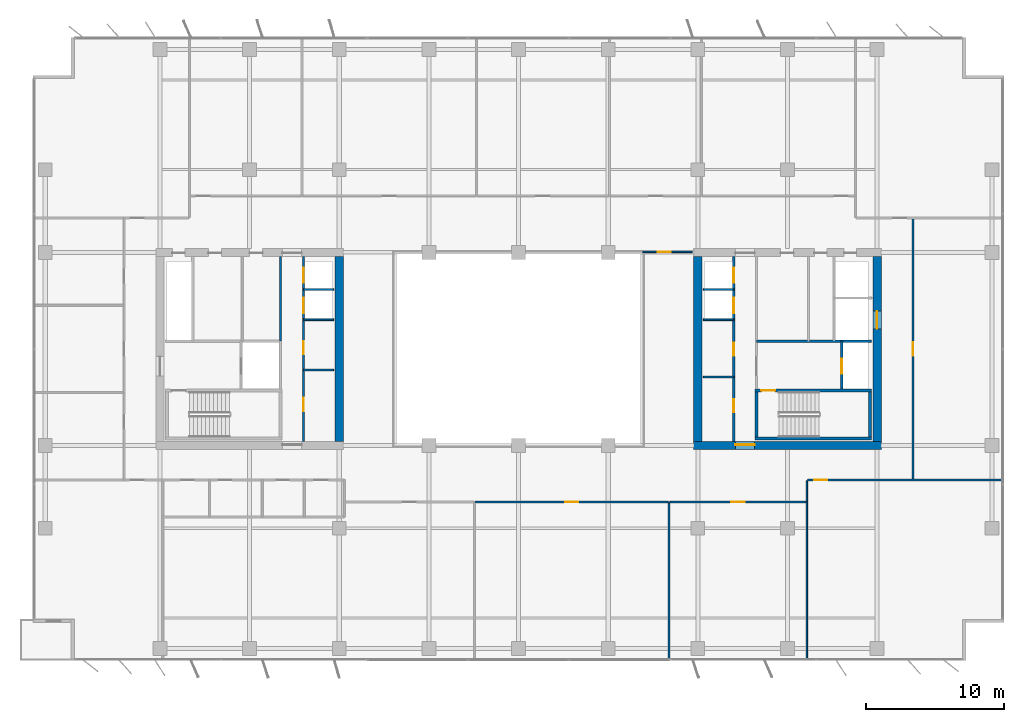
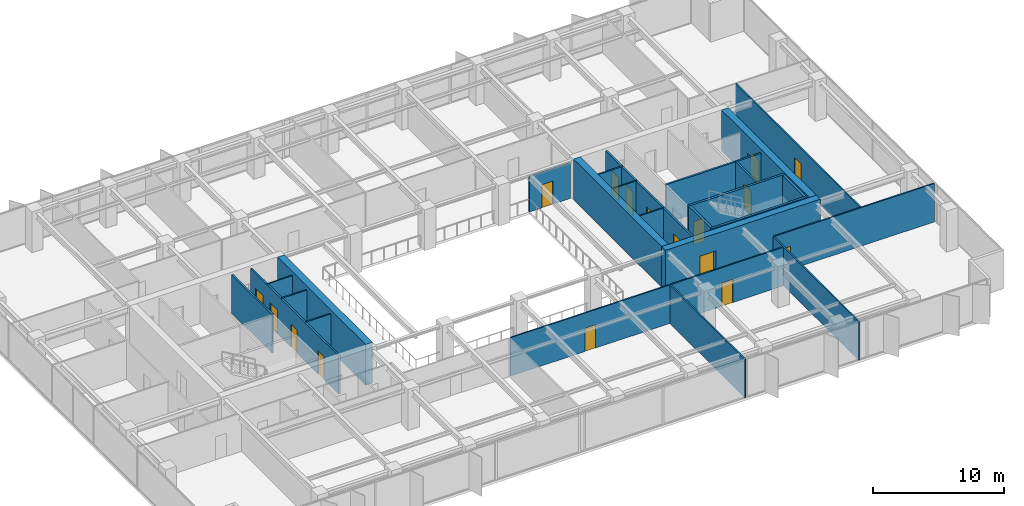
# One storey, part 16 of 22: 26 walls, 17 doors, 17 openings.
"""IFC4 building model written with IfcOpenShell, lengths in metres."""

from ifc_helpers import new_model, si_unit, direction, frame, frame_2d, origin, place, context, subcontext, project, spatial, rectangle, extrude, material, layer, layer_set, type_object, element, fill, save


model = new_model("IFC4")

# Units and contexts
model_context = context("Model", 3, precision=1e-05, world=origin(), true_north=direction((0.0, 1.0)))
body_context = subcontext(model_context, "Body", "Model", "MODEL_VIEW")
ifc_project = project(units=[si_unit("LENGTHUNIT", "METRE"), si_unit("AREAUNIT", "SQUARE_METRE"), si_unit("VOLUMEUNIT", "CUBIC_METRE"), si_unit("PLANEANGLEUNIT", "RADIAN"), si_unit("MASSUNIT", "GRAM", prefix="KILO")], contexts=[model_context])

# Site, building, storey
site_placement = place(None, origin())
site = spatial("IfcSite", under=ifc_project, at=site_placement, CompositionType="ELEMENT")
building_placement = place(site_placement, origin())
building = spatial("IfcBuilding", under=site, at=building_placement, Name="Putna Gate Headquarters", CompositionType="ELEMENT")
storey_placement = place(building_placement, frame((0.0, 0.0, 159.39990234375)))
storey = spatial("IfcBuildingStorey", under=building, at=storey_placement, Name="L39", CompositionType="ELEMENT", Elevation=159.39990234375)

# Wall
ifc_material_1 = material(Name="Concrete C50/60", Category="concrete")
ifc_layer_1 = layer(ifc_material_1, 0.60009765625)
ifc_layer_set_1 = layer_set([ifc_layer_1], Name="Concrete C50/60")
wall_type_1 = type_object("IfcWallType", Name="WALL-CORE-600", PredefinedType="SHEAR", material=ifc_layer_set_1)
wall_1_placement = place(storey_placement, frame((26.0, 19.300048828125, 0.0), z_axis=(0.0, 0.0, 1.0), x_axis=(0.0, 1.0, 0.0)))
element("IfcWall", 1, at=wall_1_placement, inside=storey, type_object=wall_type_1, Name="L39 WC Split Core Shear Wall E", PredefinedType="SHEAR", context=body_context, shape_type="SweptSolid", body=[
    extrude(rectangle(XDim=13.39990234375, YDim=0.60009765625, at=frame_2d((6.699951171875, 0.0))), origin(), (0.0, 0.0, 1.0), 3.800048828125),
])

# Wall, opening, door
wall_2_placement = place(storey_placement, frame((51.699951171875, 19.0, 0.0), z_axis=(0.0, 0.0, 1.0), x_axis=(1.0, 0.0, 0.0)))
wall_2 = element("IfcWall", 2, at=wall_2_placement, inside=storey, type_object=wall_type_1, Name="L39 EC Split Core Shear Wall S", PredefinedType="SHEAR", context=body_context, shape_type="SweptSolid", body=[
    extrude(rectangle(XDim=13.60009765625, YDim=0.60009765625, at=frame_2d((6.800048828125, 0.0))), origin(), (0.0, 0.0, 1.0), 3.800048828125),
])
opening_1_placement = place(wall_2_placement, frame((3.02001953125, 0.0, 0.0)))
opening_1 = element("IfcOpeningElement", 3, at=opening_1_placement, cuts=wall_2, Name="Opening FDD-140", PredefinedType="OPENING", context=body_context, shape_type="SweptSolid", body=[
    extrude(rectangle(XDim=1.39990234375, YDim=2.199951171875, at=frame_2d((0.699951171875, 1.10009765625))), frame((0.0, 0.31005859375, 0.0), z_axis=(0.0, -1.0, 0.0), x_axis=(1.0, 0.0, 0.0)), (0.0, 0.0, 1.0), 0.6201171875),
])
ifc_material_2 = material(Name="Double steel fire door", Category="steel")
door_type_1 = type_object("IfcDoorType", Name="DOOR-FIRE-DBL-1400", OperationType="DOUBLE_DOOR_SINGLE_SWING", PredefinedType="DOOR", material=ifc_material_2)
door_1_placement = place(opening_1_placement, origin())
door_1 = element("IfcDoor", 4, at=door_1_placement, inside=storey, type_object=door_type_1, Name="L39 East Lift Lobby South Door", OperationType="DOUBLE_DOOR_SINGLE_SWING", OverallHeight=2.199951171875, OverallWidth=1.39990234375, PredefinedType="DOOR", context=body_context, shape_type="SweptSolid", body=[
    extrude(rectangle(XDim=1.39990234375, YDim=2.199951171875, at=frame_2d((0.699951171875, 1.10009765625))), frame((0.0, 0.0751953125, 0.0), z_axis=(0.0, -1.0, 0.0), x_axis=(1.0, 0.0, 0.0)), (0.0, 0.0, 1.0), 0.050048828125),
])
fill(opening_1, door_1)

# Wall
wall_3_placement = place(storey_placement, frame((52.0, 19.300048828125, 0.0), z_axis=(0.0, 0.0, 1.0), x_axis=(0.0, 1.0, 0.0)))
element("IfcWall", 5, at=wall_3_placement, inside=storey, type_object=wall_type_1, Name="L39 EC Split Core Shear Wall W", PredefinedType="SHEAR", context=body_context, shape_type="SweptSolid", body=[
    extrude(rectangle(XDim=13.39990234375, YDim=0.60009765625, at=frame_2d((6.699951171875, 0.0))), origin(), (0.0, 0.0, 1.0), 3.800048828125),
])

# Wall, opening, door
wall_4_placement = place(storey_placement, frame((65.0, 19.300048828125, 0.0), z_axis=(0.0, 0.0, 1.0), x_axis=(0.0, 1.0, 0.0)))
wall_4 = element("IfcWall", 6, at=wall_4_placement, inside=storey, type_object=wall_type_1, Name="L39 EC Split Core Shear Wall E", PredefinedType="SHEAR", context=body_context, shape_type="SweptSolid", body=[
    extrude(rectangle(XDim=13.39990234375, YDim=0.60009765625, at=frame_2d((6.699951171875, 0.0))), origin(), (0.0, 0.0, 1.0), 3.800048828125),
])
opening_2_placement = place(wall_4_placement, frame((8.14990234375, 0.0, 0.0)))
opening_2 = element("IfcOpeningElement", 7, at=opening_2_placement, cuts=wall_4, Name="Opening LD-2", PredefinedType="OPENING", context=body_context, shape_type="SweptSolid", body=[
    extrude(rectangle(XDim=1.300048828125, YDim=2.199951171875, at=frame_2d((0.64990234375, 1.10009765625))), frame((0.0, 0.31005859375, 0.0), z_axis=(0.0, -1.0, 0.0), x_axis=(1.0, 0.0, 0.0)), (0.0, 0.0, 1.0), 0.6201171875),
])
ifc_material_3 = material(Name="Heavy-duty goods lift sliding landing door")
door_type_2 = type_object("IfcDoorType", Name="DOOR-LIFT-1300", OperationType="DOUBLE_DOOR_SLIDING", PredefinedType="DOOR", material=ifc_material_3)
door_2_placement = place(opening_2_placement, origin())
door_2 = element("IfcDoor", 8, at=door_2_placement, inside=storey, type_object=door_type_2, Name="L39 Goods Lift Landing Door LD-15", OperationType="DOUBLE_DOOR_SLIDING", OverallHeight=2.199951171875, OverallWidth=1.300048828125, PredefinedType="DOOR", context=body_context, shape_type="SweptSolid", body=[
    extrude(rectangle(XDim=1.300048828125, YDim=2.199951171875, at=frame_2d((0.64990234375, 1.10009765625))), frame((0.0, 0.02490234375, 0.0), z_axis=(0.0, -1.0, 0.0), x_axis=(1.0, 0.0, 0.0)), (0.0, 0.0, 1.0), 0.050048828125),
])
fill(opening_2, door_2)

ifc_material_4 = material(Name="Acoustic gypsum board on metal stud")
ifc_layer_2 = layer(ifc_material_4, 0.1201171875)
ifc_layer_set_2 = layer_set([ifc_layer_2], Name="Acoustic gypsum board on metal stud")
wall_type_2 = type_object("IfcWallType", Name="WALL-PART-120", PredefinedType="PARTITIONING", material=ifc_layer_set_2)
wall_5_placement = place(storey_placement, frame((48.0, 33.0400390625, 0.0), z_axis=(0.0, 0.0, 1.0), x_axis=(1.0, 0.0, 0.0)))
wall_5 = element("IfcWall", 9, at=wall_5_placement, inside=storey, type_object=wall_type_2, Name="L39 Interior Wall PART-L39-ATR-E-N", PredefinedType="PARTITIONING", context=body_context, shape_type="SweptSolid", body=[
    extrude(rectangle(XDim=3.60009765625, YDim=0.1201171875, at=frame_2d((1.800048828125, 0.0))), origin(), (0.0, 0.0, 1.0), 3.31201171875),
])
opening_3_placement = place(wall_5_placement, frame((1.10009765625, 0.0, 0.0)))
opening_3 = element("IfcOpeningElement", 10, at=opening_3_placement, cuts=wall_5, Name="Opening ID-95", PredefinedType="OPENING", context=body_context, shape_type="SweptSolid", body=[
    extrude(rectangle(XDim=0.949951171875, YDim=2.14990234375, at=frame_2d((0.47509765625, 1.074951171875))), frame((0.0, 0.070068359375, 0.0), z_axis=(0.0, -1.0, 0.0), x_axis=(1.0, 0.0, 0.0)), (0.0, 0.0, 1.0), 0.14013671875),
])
ifc_material_5 = material(Name="Veneered acoustic timber door", Category="wood")
door_type_3 = type_object("IfcDoorType", Name="DOOR-OFF-950", OperationType="NOTDEFINED", PredefinedType="DOOR", material=ifc_material_5)
door_3_placement = place(opening_3_placement, origin())
door_3 = element("IfcDoor", 11, at=door_3_placement, inside=storey, type_object=door_type_3, Name="L39 East Sky Atrium Lounge Door", OperationType="SINGLE_SWING_LEFT", OverallHeight=2.14990234375, OverallWidth=0.949951171875, PredefinedType="DOOR", context=body_context, shape_type="SweptSolid", body=[
    extrude(rectangle(XDim=0.949951171875, YDim=2.14990234375, at=frame_2d((0.47509765625, 1.074951171875))), frame((0.0, 0.02490234375, 0.0), z_axis=(0.0, -1.0, 0.0), x_axis=(1.0, 0.0, 0.0)), (0.0, 0.0, 1.0), 0.050048828125),
])
fill(opening_3, door_3)

# Walls
wall_6_placement = place(storey_placement, frame((49.912109375, 3.419921875, 0.0), z_axis=(0.0, 0.0, 1.0), x_axis=(0.0, 1.0, 0.0)))
element("IfcWall", 12, at=wall_6_placement, inside=storey, type_object=wall_type_2, Name="L39 Interior Wall PART-L39-SB-DIV-03", PredefinedType="PARTITIONING", context=body_context, shape_type="SweptSolid", body=[
    extrude(rectangle(XDim=11.420166015625, YDim=0.1201171875, at=frame_2d((5.7099609375, 0.0))), origin(), (0.0, 0.0, 1.0), 3.572021484375),
])
wall_7_placement = place(storey_placement, frame((59.907958984375, 3.419921875, 0.0), z_axis=(0.0, 0.0, 1.0), x_axis=(0.0, 1.0, 0.0)))
element("IfcWall", 13, at=wall_7_placement, inside=storey, type_object=wall_type_2, Name="L39 Interior Wall PART-L39-SB-DIV-04", PredefinedType="PARTITIONING", context=body_context, shape_type="SweptSolid", body=[
    extrude(rectangle(XDim=13.02001953125, YDim=0.1201171875, at=frame_2d((6.510009765625, 0.0))), origin(), (0.0, 0.0, 1.0), 3.572021484375),
])
ifc_material_6 = material(Name="Fire-rated shaftwall gypsum board on metal stud")
ifc_layer_3 = layer(ifc_material_6, 0.1201171875)
ifc_layer_set_3 = layer_set([ifc_layer_3], Name="Fire-rated shaftwall gypsum board on metal stud")
wall_type_3 = type_object("IfcWallType", Name="WALL-PART-120-EI120", PredefinedType="PARTITIONING", material=ifc_layer_set_3)
for number, where, z_axis, x_axis, name in (
    (14, (23.39990234375, 30.31005859375, 0.0), (0.0, 0.0, 1.0), (1.0, 0.0, 0.0), "L39 Interior Wall CWINT-L39-WC-LF09-DIV"),
    (15, (52.39990234375, 30.31005859375, 0.0), (0.0, 0.0, 1.0), (1.0, 0.0, 0.0), "L39 Interior Wall CWINT-L39-EC-LF11-DIV"),
):
    element("IfcWall", number, at=place(storey_placement, frame(where, z_axis=z_axis, x_axis=x_axis)), inside=storey, type_object=wall_type_3, Name=name, PredefinedType="PARTITIONING", context=body_context, shape_type="SweptSolid", body=[
        extrude(rectangle(XDim=2.2001953125, YDim=0.1201171875, at=frame_2d((1.10009765625, 0.0))), origin(), (0.0, 0.0, 1.0), 3.572021484375),
    ])
ifc_material_7 = material(Name="Fire-rated gypsum board on metal stud")
ifc_layer_4 = layer(ifc_material_7, 0.1201171875)
ifc_layer_set_4 = layer_set([ifc_layer_4], Name="Fire-rated gypsum board on metal stud")
wall_type_4 = type_object("IfcWallType", Name="WALL-PART-120-RATED", PredefinedType="PARTITIONING", material=ifc_layer_set_4)
for number, where, z_axis, x_axis, name in (
    (16, (23.39990234375, 24.469970703125, 0.0), (0.0, 0.0, 1.0), (1.0, 0.0, 0.0), "L39 Interior Wall CWINT-L39-WC-REUSE-DIV"),
    (17, (23.39990234375, 28.1201171875, 0.0), (0.0, 0.0, 1.0), (1.0, 0.0, 0.0), "L39 Interior Wall CWINT-L39-WC-LF06-DIV"),
    (18, (52.39990234375, 23.969970703125, 0.0), (0.0, 0.0, 1.0), (1.0, 0.0, 0.0), "L39 Interior Wall CWINT-L39-EC-REUSE-DIV"),
    (19, (52.39990234375, 28.1201171875, 0.0), (0.0, 0.0, 1.0), (1.0, 0.0, 0.0), "L39 Interior Wall CWINT-L39-EC-LF08-DIV"),
):
    element("IfcWall", number, at=place(storey_placement, frame(where, z_axis=z_axis, x_axis=x_axis)), inside=storey, type_object=wall_type_4, Name=name, PredefinedType="PARTITIONING", context=body_context, shape_type="SweptSolid", body=[
        extrude(rectangle(XDim=2.2001953125, YDim=0.1201171875, at=frame_2d((1.10009765625, 0.0))), origin(), (0.0, 0.0, 1.0), 3.572021484375),
    ])

# Wall, opening, door
wall_8_placement = place(storey_placement, frame((35.860107421875, 14.89990234375, 0.0), z_axis=(0.0, 0.0, 1.0), x_axis=(1.0, 0.0, 0.0)))
wall_8 = element("IfcWall", 20, at=wall_8_placement, inside=storey, type_object=wall_type_4, Name="L39 Interior Wall PART-L39-SB-CW-03", PredefinedType="PARTITIONING", context=body_context, shape_type="SweptSolid", body=[
    extrude(rectangle(XDim=13.991943359375, YDim=0.1201171875, at=frame_2d((6.99609375, 0.0))), origin(), (0.0, 0.0, 1.0), 3.572021484375),
])
opening_4_placement = place(wall_8_placement, frame((6.52099609375, 0.0, 0.0)))
opening_4 = element("IfcOpeningElement", 21, at=opening_4_placement, cuts=wall_8, Name="Opening FD-95", PredefinedType="OPENING", context=body_context, shape_type="SweptSolid", body=[
    extrude(rectangle(XDim=0.949951171875, YDim=2.14990234375, at=frame_2d((0.47509765625, 1.074951171875))), frame((0.0, 0.070068359375, 0.0), z_axis=(0.0, -1.0, 0.0), x_axis=(1.0, 0.0, 0.0)), (0.0, 0.0, 1.0), 0.14013671875),
])
ifc_material_8 = material(Name="Acoustic timber fire door", Category="wood")
door_type_4 = type_object("IfcDoorType", Name="DOOR-FIRE-950", OperationType="NOTDEFINED", PredefinedType="DOOR", material=ifc_material_8)
door_4_placement = place(opening_4_placement, origin())
door_4 = element("IfcDoor", 22, at=door_4_placement, inside=storey, type_object=door_type_4, Name="L39 Quiet Wellness Focus Studio 2 Door", OperationType="SINGLE_SWING_LEFT", OverallHeight=2.14990234375, OverallWidth=0.949951171875, PredefinedType="DOOR", context=body_context, shape_type="SweptSolid", body=[
    extrude(rectangle(XDim=0.949951171875, YDim=2.14990234375, at=frame_2d((0.47509765625, 1.074951171875))), frame((0.0, 0.02490234375, 0.0), z_axis=(0.0, -1.0, 0.0), x_axis=(1.0, 0.0, 0.0)), (0.0, 0.0, 1.0), 0.050048828125),
])
fill(opening_4, door_4)

wall_9_placement = place(storey_placement, frame((49.971923828125, 14.89990234375, 0.0), z_axis=(0.0, 0.0, 1.0), x_axis=(1.0, 0.0, 0.0)))
wall_9 = element("IfcWall", 23, at=wall_9_placement, inside=storey, type_object=wall_type_4, Name="L39 Interior Wall PART-L39-SB-CW-04", PredefinedType="PARTITIONING", context=body_context, shape_type="SweptSolid", body=[
    extrude(rectangle(XDim=9.8759765625, YDim=0.1201171875, at=frame_2d((4.93798828125, 0.0))), origin(), (0.0, 0.0, 1.0), 3.572021484375),
])
opening_5_placement = place(wall_9_placement, frame((4.462890625, 0.0, 0.0)))
opening_5 = element("IfcOpeningElement", 24, at=opening_5_placement, cuts=wall_9, Name="Opening FD-95", PredefinedType="OPENING", context=body_context, shape_type="SweptSolid", body=[
    extrude(rectangle(XDim=0.949951171875, YDim=2.14990234375, at=frame_2d((0.47509765625, 1.074951171875))), frame((0.0, 0.070068359375, 0.0), z_axis=(0.0, -1.0, 0.0), x_axis=(1.0, 0.0, 0.0)), (0.0, 0.0, 1.0), 0.14013671875),
])
door_5_placement = place(opening_5_placement, origin())
door_5 = element("IfcDoor", 25, at=door_5_placement, inside=storey, type_object=door_type_4, Name="L39 Quiet Wellness Focus Studio 3 Door", OperationType="SINGLE_SWING_RIGHT", OverallHeight=2.14990234375, OverallWidth=0.949951171875, PredefinedType="DOOR", context=body_context, shape_type="SweptSolid", body=[
    extrude(rectangle(XDim=0.949951171875, YDim=2.14990234375, at=frame_2d((0.47509765625, 1.074951171875))), frame((0.0, 0.02490234375, 0.0), z_axis=(0.0, -1.0, 0.0), x_axis=(1.0, 0.0, 0.0)), (0.0, 0.0, 1.0), 0.050048828125),
])
fill(opening_5, door_5)

wall_10_placement = place(storey_placement, frame((59.968017578125, 16.5, 0.0), z_axis=(0.0, 0.0, 1.0), x_axis=(1.0, 0.0, 0.0)))
wall_10 = element("IfcWall", 26, at=wall_10_placement, inside=storey, type_object=wall_type_4, Name="L39 Interior Wall PART-L39-SB-CW-05", PredefinedType="PARTITIONING", context=body_context, shape_type="SweptSolid", body=[
    extrude(rectangle(XDim=14.052001953125, YDim=0.1201171875, at=frame_2d((7.02587890625, 0.0))), origin(), (0.0, 0.0, 1.0), 3.572021484375),
])
opening_6_placement = place(wall_10_placement, frame((0.47998046875, 0.0, 0.0)))
opening_6 = element("IfcOpeningElement", 27, at=opening_6_placement, cuts=wall_10, Name="Opening FD-95", PredefinedType="OPENING", context=body_context, shape_type="SweptSolid", body=[
    extrude(rectangle(XDim=0.949951171875, YDim=2.14990234375, at=frame_2d((0.47509765625, 1.074951171875))), frame((0.0, 0.070068359375, 0.0), z_axis=(0.0, -1.0, 0.0), x_axis=(1.0, 0.0, 0.0)), (0.0, 0.0, 1.0), 0.14013671875),
])
door_6_placement = place(opening_6_placement, origin())
door_6 = element("IfcDoor", 28, at=door_6_placement, inside=storey, type_object=door_type_4, Name="L39 Conference Meeting Room 1 Door", OperationType="SINGLE_SWING_LEFT", OverallHeight=2.14990234375, OverallWidth=0.949951171875, PredefinedType="DOOR", context=body_context, shape_type="SweptSolid", body=[
    extrude(rectangle(XDim=0.949951171875, YDim=2.14990234375, at=frame_2d((0.47509765625, 1.074951171875))), frame((0.0, 0.02490234375, 0.0), z_axis=(0.0, -1.0, 0.0), x_axis=(1.0, 0.0, 0.0)), (0.0, 0.0, 1.0), 0.050048828125),
])
fill(opening_6, door_6)

wall_11_placement = place(storey_placement, frame((67.60009765625, 16.5, 0.0), z_axis=(0.0, 0.0, 1.0), x_axis=(0.0, 1.0, 0.0)))
wall_11 = element("IfcWall", 29, at=wall_11_placement, inside=storey, type_object=wall_type_4, Name="L39 Interior Wall PART-L39-EW-CW-1", PredefinedType="PARTITIONING", context=body_context, shape_type="SweptSolid", body=[
    extrude(rectangle(XDim=19.0, YDim=0.1201171875, at=frame_2d((9.5, 0.0))), origin(), (0.0, 0.0, 1.0), 3.572021484375),
])
opening_7_placement = place(wall_11_placement, frame((9.02490234375, 0.0, 0.0)))
opening_7 = element("IfcOpeningElement", 30, at=opening_7_placement, cuts=wall_11, Name="Opening FD-95", PredefinedType="OPENING", context=body_context, shape_type="SweptSolid", body=[
    extrude(rectangle(XDim=0.949951171875, YDim=2.14990234375, at=frame_2d((0.47509765625, 1.074951171875))), frame((0.0, 0.070068359375, 0.0), z_axis=(0.0, -1.0, 0.0), x_axis=(1.0, 0.0, 0.0)), (0.0, 0.0, 1.0), 0.14013671875),
])
door_7_placement = place(opening_7_placement, origin())
door_7 = element("IfcDoor", 31, at=door_7_placement, inside=storey, type_object=door_type_4, Name="L39 East Advisory Office 1 Door", OperationType="SINGLE_SWING_LEFT", OverallHeight=2.14990234375, OverallWidth=0.949951171875, PredefinedType="DOOR", context=body_context, shape_type="SweptSolid", body=[
    extrude(rectangle(XDim=0.949951171875, YDim=2.14990234375, at=frame_2d((0.47509765625, 1.074951171875))), frame((0.0, 0.02490234375, 0.0), z_axis=(0.0, -1.0, 0.0), x_axis=(1.0, 0.0, 0.0)), (0.0, 0.0, 1.0), 0.050048828125),
])
fill(opening_7, door_7)

# Wall
ifc_material_9 = material(Name="Concrete C40/50", Category="concrete")
ifc_layer_5 = layer(ifc_material_9, 0.159912109375)
ifc_layer_set_5 = layer_set([ifc_layer_5], Name="Concrete C40/50")
wall_type_5 = type_object("IfcWallType", Name="WALL-SHAFT-160", PredefinedType="STANDARD", material=ifc_layer_set_5)
wall_12_placement = place(storey_placement, frame((21.739990234375, 26.56005859375, 0.0), z_axis=(0.0, 0.0, 1.0), x_axis=(0.0, 1.0, 0.0)))
element("IfcWall", 32, at=wall_12_placement, inside=storey, type_object=wall_type_5, Name="L39 Interior Wall CWINT-L39-WC-LOB-W", PredefinedType="STANDARD", context=body_context, shape_type="SweptSolid", body=[
    extrude(rectangle(XDim=6.139892578125, YDim=0.159912109375, at=frame_2d((3.06982421875, 0.0))), origin(), (0.0, 0.0, 1.0), 3.572021484375),
])

# Wall, openings, doors
wall_13_placement = place(storey_placement, frame((23.39990234375, 19.300048828125, 0.0), z_axis=(0.0, 0.0, 1.0), x_axis=(0.0, 1.0, 0.0)))
wall_13 = element("IfcWall", 33, at=wall_13_placement, inside=storey, type_object=wall_type_5, Name="L39 Interior Wall CWINT-L39-WC-PL-WALL", PredefinedType="STANDARD", context=body_context, shape_type="SweptSolid", body=[
    extrude(rectangle(XDim=13.39990234375, YDim=0.159912109375, at=frame_2d((6.699951171875, 0.0))), origin(), (0.0, 0.0, 1.0), 3.572021484375),
])
opening_8_placement = place(wall_13_placement, frame((2.199951171875, 0.0, 0.0)))
opening_8 = element("IfcOpeningElement", 34, at=opening_8_placement, cuts=wall_13, Name="Opening IDS-95", PredefinedType="OPENING", context=body_context, shape_type="SweptSolid", body=[
    extrude(rectangle(XDim=0.949951171875, YDim=2.14990234375, at=frame_2d((0.47509765625, 1.074951171875))), frame((0.0, 0.08984375, 0.0), z_axis=(0.0, -1.0, 0.0), x_axis=(1.0, 0.0, 0.0)), (0.0, 0.0, 1.0), 0.179931640625),
])
opening_9_placement = place(wall_13_placement, frame((6.300048828125, 0.0, 0.0)))
opening_9 = element("IfcOpeningElement", 35, at=opening_9_placement, cuts=wall_13, Name="Opening IDS-95", PredefinedType="OPENING", context=body_context, shape_type="SweptSolid", body=[
    extrude(rectangle(XDim=0.949951171875, YDim=2.14990234375, at=frame_2d((0.47509765625, 1.074951171875))), frame((0.0, 0.08984375, 0.0), z_axis=(0.0, -1.0, 0.0), x_axis=(1.0, 0.0, 0.0)), (0.0, 0.0, 1.0), 0.179931640625),
])
opening_10_placement = place(wall_13_placement, frame((9.300048828125, 0.0, 0.0)))
opening_10 = element("IfcOpeningElement", 36, at=opening_10_placement, cuts=wall_13, Name="Opening LD-1", PredefinedType="OPENING", context=body_context, shape_type="SweptSolid", body=[
    extrude(rectangle(XDim=1.10009765625, YDim=2.199951171875, at=frame_2d((0.550048828125, 1.10009765625))), frame((0.0, 0.08984375, 0.0), z_axis=(0.0, -1.0, 0.0), x_axis=(1.0, 0.0, 0.0)), (0.0, 0.0, 1.0), 0.179931640625),
])
opening_11_placement = place(wall_13_placement, frame((11.5, 0.0, 0.0)))
opening_11 = element("IfcOpeningElement", 37, at=opening_11_placement, cuts=wall_13, Name="Opening LD-1", PredefinedType="OPENING", context=body_context, shape_type="SweptSolid", body=[
    extrude(rectangle(XDim=1.10009765625, YDim=2.199951171875, at=frame_2d((0.550048828125, 1.10009765625))), frame((0.0, 0.08984375, 0.0), z_axis=(0.0, -1.0, 0.0), x_axis=(1.0, 0.0, 0.0)), (0.0, 0.0, 1.0), 0.179931640625),
])
ifc_material_10 = material(Name="Fire-rated service timber door", Category="wood")
door_type_5 = type_object("IfcDoorType", Name="DOOR-INT-950", OperationType="NOTDEFINED", PredefinedType="DOOR", material=ifc_material_10)
door_8_placement = place(opening_8_placement, origin())
door_8 = element("IfcDoor", 38, at=door_8_placement, inside=storey, type_object=door_type_5, Name="L39 Tenant IT Hub Door", OperationType="SINGLE_SWING_LEFT", OverallHeight=2.14990234375, OverallWidth=0.949951171875, PredefinedType="DOOR", context=body_context, shape_type="SweptSolid", body=[
    extrude(rectangle(XDim=0.949951171875, YDim=2.14990234375, at=frame_2d((0.47509765625, 1.074951171875))), frame((0.0, 0.02490234375, 0.0), z_axis=(0.0, -1.0, 0.0), x_axis=(1.0, 0.0, 0.0)), (0.0, 0.0, 1.0), 0.050048828125),
])
fill(opening_8, door_8)
door_9_placement = place(opening_9_placement, origin())
door_9 = element("IfcDoor", 39, at=door_9_placement, inside=storey, type_object=door_type_5, Name="L39 Records Vault Door", OperationType="SINGLE_SWING_RIGHT", OverallHeight=2.14990234375, OverallWidth=0.949951171875, PredefinedType="DOOR", context=body_context, shape_type="SweptSolid", body=[
    extrude(rectangle(XDim=0.949951171875, YDim=2.14990234375, at=frame_2d((0.47509765625, 1.074951171875))), frame((0.0, 0.02490234375, 0.0), z_axis=(0.0, -1.0, 0.0), x_axis=(1.0, 0.0, 0.0)), (0.0, 0.0, 1.0), 0.050048828125),
])
fill(opening_9, door_9)
ifc_material_11 = material(Name="Brushed bronze stainless lift landing door")
door_type_6 = type_object("IfcDoorType", Name="DOOR-LIFT-1100", OperationType="DOUBLE_DOOR_SLIDING", PredefinedType="DOOR", material=ifc_material_11)
door_10_placement = place(opening_10_placement, origin())
door_10 = element("IfcDoor", 40, at=door_10_placement, inside=storey, type_object=door_type_6, Name="L39 Lift Landing Door LD-09", OperationType="DOUBLE_DOOR_SLIDING", OverallHeight=2.199951171875, OverallWidth=1.10009765625, PredefinedType="DOOR", context=body_context, shape_type="SweptSolid", body=[
    extrude(rectangle(XDim=1.10009765625, YDim=2.199951171875, at=frame_2d((0.550048828125, 1.10009765625))), frame((0.0, 0.02490234375, 0.0), z_axis=(0.0, -1.0, 0.0), x_axis=(1.0, 0.0, 0.0)), (0.0, 0.0, 1.0), 0.050048828125),
])
fill(opening_10, door_10)
door_11_placement = place(opening_11_placement, origin())
door_11 = element("IfcDoor", 41, at=door_11_placement, inside=storey, type_object=door_type_6, Name="L39 Lift Landing Door LD-10", OperationType="DOUBLE_DOOR_SLIDING", OverallHeight=2.199951171875, OverallWidth=1.10009765625, PredefinedType="DOOR", context=body_context, shape_type="SweptSolid", body=[
    extrude(rectangle(XDim=1.10009765625, YDim=2.199951171875, at=frame_2d((0.550048828125, 1.10009765625))), frame((0.0, 0.02490234375, 0.0), z_axis=(0.0, -1.0, 0.0), x_axis=(1.0, 0.0, 0.0)), (0.0, 0.0, 1.0), 0.050048828125),
])
fill(opening_11, door_11)

wall_14_placement = place(storey_placement, frame((54.60009765625, 19.300048828125, 0.0), z_axis=(0.0, 0.0, 1.0), x_axis=(0.0, 1.0, 0.0)))
wall_14 = element("IfcWall", 42, at=wall_14_placement, inside=storey, type_object=wall_type_5, Name="L39 Interior Wall CWINT-L39-EC-PL-WALL", PredefinedType="STANDARD", context=body_context, shape_type="SweptSolid", body=[
    extrude(rectangle(XDim=13.39990234375, YDim=0.159912109375, at=frame_2d((6.699951171875, 0.0))), origin(), (0.0, 0.0, 1.0), 3.572021484375),
])
opening_12_placement = place(wall_14_placement, frame((2.10009765625, 0.0, 0.0)))
opening_12 = element("IfcOpeningElement", 43, at=opening_12_placement, cuts=wall_14, Name="Opening IDS-95", PredefinedType="OPENING", context=body_context, shape_type="SweptSolid", body=[
    extrude(rectangle(XDim=0.949951171875, YDim=2.14990234375, at=frame_2d((0.47509765625, 1.074951171875))), frame((0.0, 0.08984375, 0.0), z_axis=(0.0, -1.0, 0.0), x_axis=(1.0, 0.0, 0.0)), (0.0, 0.0, 1.0), 0.179931640625),
])
opening_13_placement = place(wall_14_placement, frame((6.199951171875, 0.0, 0.0)))
opening_13 = element("IfcOpeningElement", 44, at=opening_13_placement, cuts=wall_14, Name="Opening IDS-95", PredefinedType="OPENING", context=body_context, shape_type="SweptSolid", body=[
    extrude(rectangle(XDim=0.949951171875, YDim=2.14990234375, at=frame_2d((0.47509765625, 1.074951171875))), frame((0.0, 0.08984375, 0.0), z_axis=(0.0, -1.0, 0.0), x_axis=(1.0, 0.0, 0.0)), (0.0, 0.0, 1.0), 0.179931640625),
])
opening_14_placement = place(wall_14_placement, frame((9.300048828125, 0.0, 0.0)))
opening_14 = element("IfcOpeningElement", 45, at=opening_14_placement, cuts=wall_14, Name="Opening LD-1", PredefinedType="OPENING", context=body_context, shape_type="SweptSolid", body=[
    extrude(rectangle(XDim=1.10009765625, YDim=2.199951171875, at=frame_2d((0.550048828125, 1.10009765625))), frame((0.0, 0.08984375, 0.0), z_axis=(0.0, -1.0, 0.0), x_axis=(1.0, 0.0, 0.0)), (0.0, 0.0, 1.0), 0.179931640625),
])
opening_15_placement = place(wall_14_placement, frame((11.5, 0.0, 0.0)))
opening_15 = element("IfcOpeningElement", 46, at=opening_15_placement, cuts=wall_14, Name="Opening LD-1", PredefinedType="OPENING", context=body_context, shape_type="SweptSolid", body=[
    extrude(rectangle(XDim=1.10009765625, YDim=2.199951171875, at=frame_2d((0.550048828125, 1.10009765625))), frame((0.0, 0.08984375, 0.0), z_axis=(0.0, -1.0, 0.0), x_axis=(1.0, 0.0, 0.0)), (0.0, 0.0, 1.0), 0.179931640625),
])
door_12_placement = place(opening_12_placement, origin())
door_12 = element("IfcDoor", 47, at=door_12_placement, inside=storey, type_object=door_type_5, Name="L39 Executive Archive Door", OperationType="SINGLE_SWING_RIGHT", OverallHeight=2.14990234375, OverallWidth=0.949951171875, PredefinedType="DOOR", context=body_context, shape_type="SweptSolid", body=[
    extrude(rectangle(XDim=0.949951171875, YDim=2.14990234375, at=frame_2d((0.47509765625, 1.074951171875))), frame((0.0, 0.02490234375, 0.0), z_axis=(0.0, -1.0, 0.0), x_axis=(1.0, 0.0, 0.0)), (0.0, 0.0, 1.0), 0.050048828125),
])
fill(opening_12, door_12)
door_13_placement = place(opening_13_placement, origin())
door_13 = element("IfcDoor", 48, at=door_13_placement, inside=storey, type_object=door_type_5, Name="L39 Comms Distribution Door", OperationType="SINGLE_SWING_LEFT", OverallHeight=2.14990234375, OverallWidth=0.949951171875, PredefinedType="DOOR", context=body_context, shape_type="SweptSolid", body=[
    extrude(rectangle(XDim=0.949951171875, YDim=2.14990234375, at=frame_2d((0.47509765625, 1.074951171875))), frame((0.0, 0.02490234375, 0.0), z_axis=(0.0, -1.0, 0.0), x_axis=(1.0, 0.0, 0.0)), (0.0, 0.0, 1.0), 0.050048828125),
])
fill(opening_13, door_13)
door_14_placement = place(opening_14_placement, origin())
door_14 = element("IfcDoor", 49, at=door_14_placement, inside=storey, type_object=door_type_6, Name="L39 Lift Landing Door LD-11", OperationType="DOUBLE_DOOR_SLIDING", OverallHeight=2.199951171875, OverallWidth=1.10009765625, PredefinedType="DOOR", context=body_context, shape_type="SweptSolid", body=[
    extrude(rectangle(XDim=1.10009765625, YDim=2.199951171875, at=frame_2d((0.550048828125, 1.10009765625))), frame((0.0, 0.02490234375, 0.0), z_axis=(0.0, -1.0, 0.0), x_axis=(1.0, 0.0, 0.0)), (0.0, 0.0, 1.0), 0.050048828125),
])
fill(opening_14, door_14)
door_15_placement = place(opening_15_placement, origin())
door_15 = element("IfcDoor", 50, at=door_15_placement, inside=storey, type_object=door_type_6, Name="L39 Lift Landing Door LD-12", OperationType="DOUBLE_DOOR_SLIDING", OverallHeight=2.199951171875, OverallWidth=1.10009765625, PredefinedType="DOOR", context=body_context, shape_type="SweptSolid", body=[
    extrude(rectangle(XDim=1.10009765625, YDim=2.199951171875, at=frame_2d((0.550048828125, 1.10009765625))), frame((0.0, 0.02490234375, 0.0), z_axis=(0.0, -1.0, 0.0), x_axis=(1.0, 0.0, 0.0)), (0.0, 0.0, 1.0), 0.050048828125),
])
fill(opening_15, door_15)

# Wall, opening, door
wall_15_placement = place(storey_placement, frame((62.429931640625, 23.090087890625, 0.0), z_axis=(0.0, 0.0, 1.0), x_axis=(0.0, 1.0, 0.0)))
wall_15 = element("IfcWall", 51, at=wall_15_placement, inside=storey, type_object=wall_type_5, Name="L39 Interior Wall CWINT-L39-EC-LF14-W", PredefinedType="STANDARD", context=body_context, shape_type="SweptSolid", body=[
    extrude(rectangle(XDim=3.469970703125, YDim=0.159912109375, at=frame_2d((1.73486328125, 0.0))), origin(), (0.0, 0.0, 1.0), 3.572021484375),
])
opening_16_placement = place(wall_15_placement, frame((1.10009765625, 0.0, 0.0)))
opening_16 = element("IfcOpeningElement", 52, at=opening_16_placement, cuts=wall_15, Name="Opening LD-1", PredefinedType="OPENING", context=body_context, shape_type="SweptSolid", body=[
    extrude(rectangle(XDim=1.10009765625, YDim=2.199951171875, at=frame_2d((0.550048828125, 1.10009765625))), frame((0.0, 0.08984375, 0.0), z_axis=(0.0, -1.0, 0.0), x_axis=(1.0, 0.0, 0.0)), (0.0, 0.0, 1.0), 0.179931640625),
])
door_16_placement = place(opening_16_placement, origin())
door_16 = element("IfcDoor", 53, at=door_16_placement, inside=storey, type_object=door_type_6, Name="L39 Lift Landing Door LD-14", OperationType="DOUBLE_DOOR_SLIDING", OverallHeight=2.199951171875, OverallWidth=1.10009765625, PredefinedType="DOOR", context=body_context, shape_type="SweptSolid", body=[
    extrude(rectangle(XDim=1.10009765625, YDim=2.199951171875, at=frame_2d((0.550048828125, 1.10009765625))), frame((0.0, 0.02490234375, 0.0), z_axis=(0.0, -1.0, 0.0), x_axis=(1.0, 0.0, 0.0)), (0.0, 0.0, 1.0), 0.050048828125),
])
fill(opening_16, door_16)

# Walls
wall_16_placement = place(storey_placement, frame((56.260009765625, 26.56005859375, 0.0), z_axis=(0.0, 0.0, 1.0), x_axis=(1.0, 0.0, 0.0)))
element("IfcWall", 54, at=wall_16_placement, inside=storey, type_object=wall_type_5, Name="L39 Interior Wall CWINT-L39-EC-FFL-N", PredefinedType="STANDARD", context=body_context, shape_type="SweptSolid", body=[
    extrude(rectangle(XDim=8.340087890625, YDim=0.159912109375, at=frame_2d((4.169921875, 0.0))), origin(), (0.0, 0.0, 1.0), 3.572021484375),
])
ifc_layer_6 = layer(ifc_material_9, 0.199951171875)
ifc_layer_set_6 = layer_set([ifc_layer_6], Name="Concrete C40/50")
wall_type_6 = type_object("IfcWallType", Name="WALL-SHAFT-RC200", PredefinedType="SHEAR", material=ifc_layer_set_6)
wall_17_placement = place(storey_placement, frame((56.159912109375, 19.510009765625, 0.0), z_axis=(0.0, 0.0, 1.0), x_axis=(1.0, 0.0, 0.0)))
element("IfcWall", 55, at=wall_17_placement, inside=storey, type_object=wall_type_6, Name="L39 Stair ST2 Structural Shaft Wall S", PredefinedType="SHEAR", context=body_context, shape_type="SweptSolid", body=[
    extrude(rectangle(XDim=8.43017578125, YDim=0.199951171875, at=frame_2d((4.215087890625, 0.0))), origin(), (0.0, 0.0, 1.0), 3.800048828125),
])

# Wall, opening, door
wall_18_placement = place(storey_placement, frame((56.159912109375, 22.989990234375, 0.0), z_axis=(0.0, 0.0, 1.0), x_axis=(1.0, 0.0, 0.0)))
wall_18 = element("IfcWall", 56, at=wall_18_placement, inside=storey, type_object=wall_type_6, Name="L39 Stair ST2 Structural Shaft Wall N", PredefinedType="SHEAR", context=body_context, shape_type="SweptSolid", body=[
    extrude(rectangle(XDim=8.43017578125, YDim=0.199951171875, at=frame_2d((4.215087890625, 0.0))), origin(), (0.0, 0.0, 1.0), 3.800048828125),
])
opening_17_placement = place(wall_18_placement, frame((0.449951171875, 0.0, 0.0)))
opening_17 = element("IfcOpeningElement", 57, at=opening_17_placement, cuts=wall_18, Name="Opening FD-100", PredefinedType="OPENING", context=body_context, shape_type="SweptSolid", body=[
    extrude(rectangle(XDim=1.0, YDim=2.14990234375, at=frame_2d((0.5, 1.074951171875))), frame((0.0, 0.10986328125, 0.0), z_axis=(0.0, -1.0, 0.0), x_axis=(1.0, 0.0, 0.0)), (0.0, 0.0, 1.0), 0.219970703125),
])
ifc_material_12 = material(Name="Powder-coated steel fire door", Category="steel")
door_type_7 = type_object("IfcDoorType", Name="DOOR-FIRE-1000", OperationType="NOTDEFINED", PredefinedType="DOOR", material=ifc_material_12)
door_17_placement = place(opening_17_placement, origin())
door_17 = element("IfcDoor", 58, at=door_17_placement, inside=storey, type_object=door_type_7, Name="L39 Stair ST2 Fire Door", OperationType="SINGLE_SWING_RIGHT", OverallHeight=2.14990234375, OverallWidth=1.0, PredefinedType="DOOR", context=body_context, shape_type="SweptSolid", body=[
    extrude(rectangle(XDim=1.0, YDim=2.14990234375, at=frame_2d((0.5, 1.074951171875))), frame((0.0, 0.02490234375, 0.0), z_axis=(0.0, -1.0, 0.0), x_axis=(1.0, 0.0, 0.0)), (0.0, 0.0, 1.0), 0.050048828125),
])
fill(opening_17, door_17)

# Walls
for number, where, z_axis, x_axis, name in (
    (59, (56.260009765625, 19.610107421875, 0.0), (0.0, 0.0, 1.0), (0.0, 1.0, 0.0), "L39 Stair ST2 Structural Shaft Wall W"),
    (60, (64.489990234375, 19.610107421875, 0.0), (0.0, 0.0, 1.0), (0.0, 1.0, 0.0), "L39 Stair ST2 Structural Shaft Wall E"),
):
    element("IfcWall", number, at=place(storey_placement, frame(where, z_axis=z_axis, x_axis=x_axis)), inside=storey, type_object=wall_type_6, Name=name, PredefinedType="SHEAR", context=body_context, shape_type="SweptSolid", body=[
        extrude(rectangle(XDim=3.27978515625, YDim=0.199951171875, at=frame_2d((1.639892578125, 0.0))), origin(), (0.0, 0.0, 1.0), 3.800048828125),
    ])

save(model, "model.ifc")
